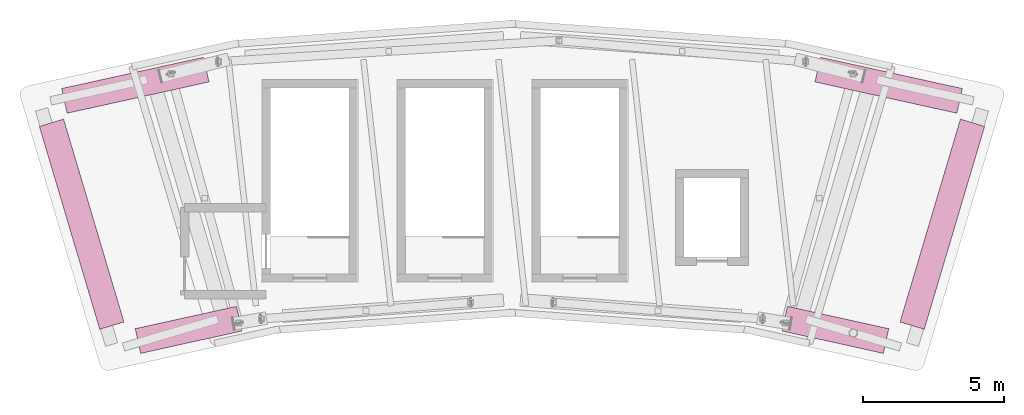
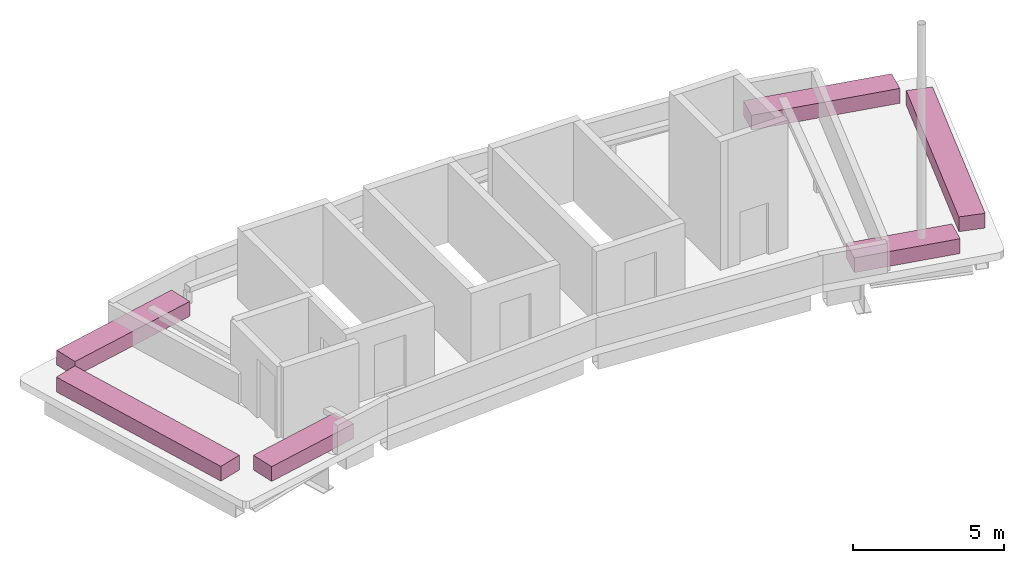
# One storey, part 6 of 6: 6 furnishings.
"""IFC4 building model written with IfcOpenShell, lengths in metres."""

from ifc_helpers import new_model, si_unit, direction, frame, origin, origin_2d, place, context, subcontext, project, spatial, rectangle, extrude, material, type_object, element, save


model = new_model("IFC4")

# Units and contexts
model_context = context("Model", 3, precision=1e-05, world=origin(), true_north=direction((0.0, 1.0)))
body_context = subcontext(model_context, "Body", "Model", "MODEL_VIEW")
ifc_project = project(units=[si_unit("LENGTHUNIT", "METRE"), si_unit("AREAUNIT", "SQUARE_METRE"), si_unit("VOLUMEUNIT", "CUBIC_METRE"), si_unit("PLANEANGLEUNIT", "RADIAN"), si_unit("MASSUNIT", "GRAM", prefix="KILO")], contexts=[model_context])

# Site, building, storey
site_placement = place(None, origin())
site = spatial("IfcSite", under=ifc_project, at=site_placement, CompositionType="ELEMENT")
building_placement = place(site_placement, origin())
building = spatial("IfcBuilding", under=site, at=building_placement, Name="Tuul Gate Civic Tower", CompositionType="ELEMENT")
storey_placement = place(building_placement, frame((0.0, 0.0, 384.10009765625)))
storey = spatial("IfcBuildingStorey", under=building, at=storey_placement, Name="Roof", CompositionType="ELEMENT", Elevation=384.10009765625)

# Furnishings
ifc_material = material(Name="Planting soil")
furnishing_element_type = type_object("IfcFurnishingElementType", Name="Planter", material=ifc_material)
furnishing_1_placement = place(storey_placement, frame((13.689697265625, -2.59326171875, -0.000244140625), z_axis=(0.0, 0.0, 1.0), x_axis=(0.976552718851, -0.215278394887, 0.0)))
element("IfcFurnishingElement", 1, at=furnishing_1_placement, inside=storey, type_object=furnishing_element_type, Name="Planter", context=body_context, shape_type="SweptSolid", body=[
    extrude(rectangle(XDim=3.689697265625, YDim=0.89990234375, at=origin_2d()), origin(), (0.0, 0.0, 1.0), 0.60009765625),
])
furnishing_2_placement = place(storey_placement, frame((17.49169921875, 1.1630859375, -0.000244140625), z_axis=(0.0, 0.0, 1.0), x_axis=(0.28520291474, 0.958467160326, 0.0)))
element("IfcFurnishingElement", 2, at=furnishing_2_placement, inside=storey, type_object=furnishing_element_type, Name="Planter", context=body_context, shape_type="SweptSolid", body=[
    extrude(rectangle(XDim=7.5263671875, YDim=0.89990234375, at=origin_2d()), origin(), (0.0, 0.0, 1.0), 0.60009765625),
])
for number, where, z_axis, x_axis, name in (
    (3, (15.583740234375, 6.103271484375, -0.000244140625), (0.0, 0.0, 1.0), (-0.976555647754, 0.215265108272, 0.0), "Planter"),
    (4, (-11.19970703125, 6.103271484375, -0.000244140625), (0.0, 0.0, 1.0), (-0.976555647754, -0.215265108272, 0.0), "Planter"),
):
    element("IfcFurnishingElement", number, at=place(storey_placement, frame(where, z_axis=z_axis, x_axis=x_axis)), inside=storey, type_object=furnishing_element_type, Name=name, context=body_context, shape_type="SweptSolid", body=[
        extrude(rectangle(XDim=5.16748046875, YDim=0.89990234375, at=origin_2d()), origin(), (0.0, 0.0, 1.0), 0.60009765625),
    ])
furnishing_3_placement = place(storey_placement, frame((-13.107666015625, 1.1630859375, -0.000244140625), z_axis=(0.0, 0.0, 1.0), x_axis=(0.28520291474, -0.958467160326, 0.0)))
element("IfcFurnishingElement", 5, at=furnishing_3_placement, inside=storey, type_object=furnishing_element_type, Name="Planter", context=body_context, shape_type="SweptSolid", body=[
    extrude(rectangle(XDim=7.5263671875, YDim=0.89990234375, at=origin_2d()), origin(), (0.0, 0.0, 1.0), 0.60009765625),
])
furnishing_4_placement = place(storey_placement, frame((-9.3056640625, -2.59326171875, -0.000244140625), z_axis=(0.0, 0.0, 1.0), x_axis=(0.976552718851, 0.215278394887, 0.0)))
element("IfcFurnishingElement", 6, at=furnishing_4_placement, inside=storey, type_object=furnishing_element_type, Name="Planter", context=body_context, shape_type="SweptSolid", body=[
    extrude(rectangle(XDim=3.689697265625, YDim=0.89990234375, at=origin_2d()), origin(), (0.0, 0.0, 1.0), 0.60009765625),
])

save(model, "model.ifc")
